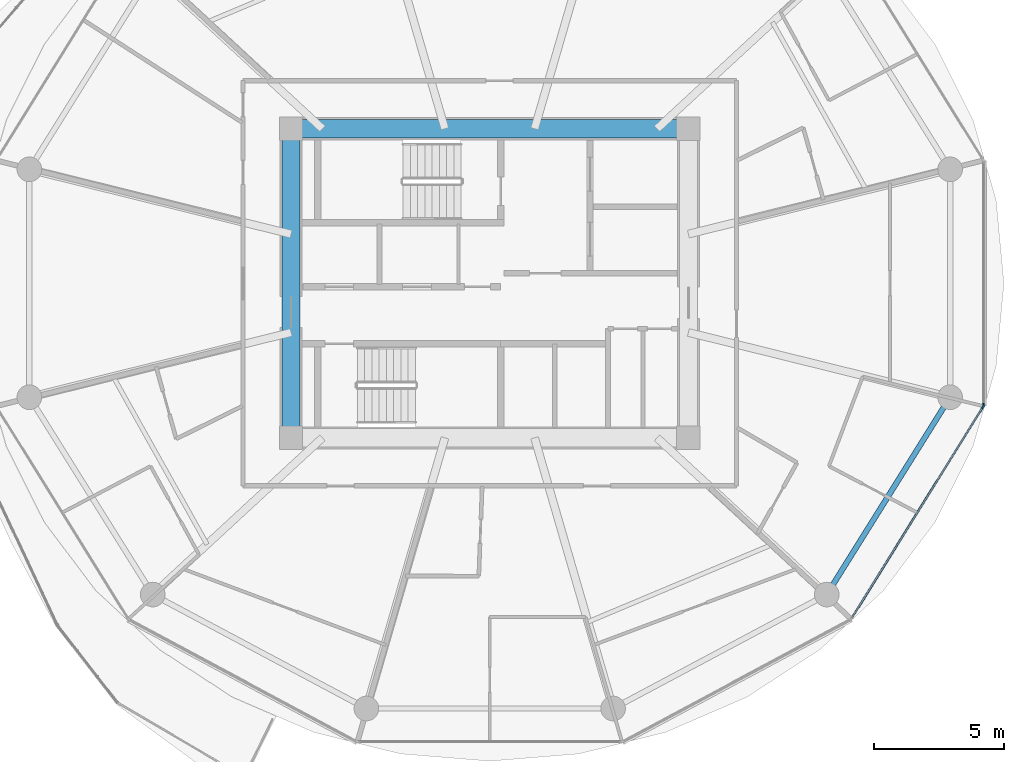
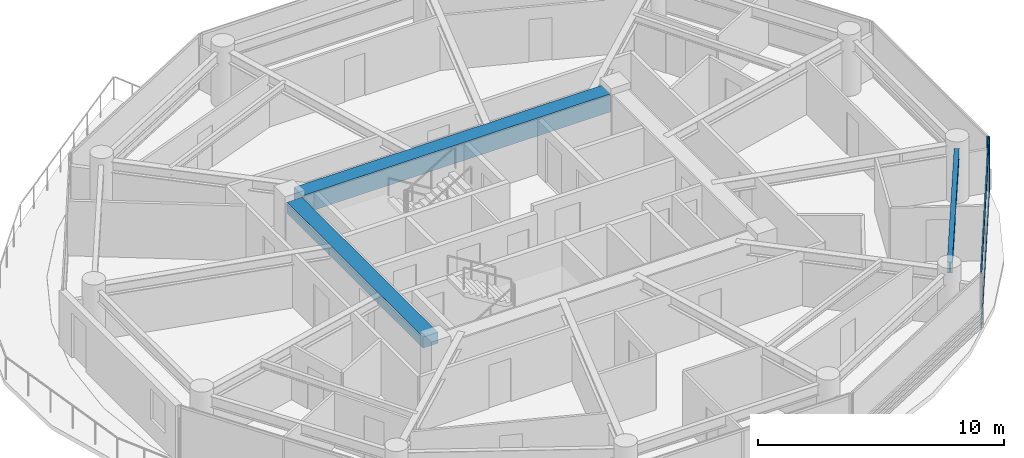
# One storey, part 11 of 26: 4 members, 3 beams, 2 elements without a shape of their own.
"""IFC4 building model written with IfcOpenShell, lengths in metres."""

from ifc_helpers import new_model, si_unit, direction, frame, origin, origin_2d, place, context, subcontext, project, spatial, rectangle, i_section, extrude, source, transform, mapped, material, layer, layer_set, material_profile, profile_set, type_object, type_shapes, element, aggregate, save


model = new_model("IFC4")

# Units and contexts
model_context = context("Model", 3, precision=1e-05, world=origin(), true_north=direction((0.0, 1.0)))
body_context = subcontext(model_context, "Body", "Model", "MODEL_VIEW")
ifc_project = project(units=[si_unit("LENGTHUNIT", "METRE"), si_unit("AREAUNIT", "SQUARE_METRE"), si_unit("VOLUMEUNIT", "CUBIC_METRE"), si_unit("PLANEANGLEUNIT", "RADIAN"), si_unit("MASSUNIT", "GRAM", prefix="KILO")], contexts=[model_context])

# Site, building, storey
site_placement = place(None, origin())
site = spatial("IfcSite", under=ifc_project, at=site_placement, CompositionType="ELEMENT")
building_placement = place(site_placement, origin())
building = spatial("IfcBuilding", under=site, at=building_placement, Name="Norrkilde Senior Care Towers", CompositionType="ELEMENT")
storey_placement = place(building_placement, frame((0.0, 0.0, 70.39990234375)))
storey = spatial("IfcBuildingStorey", under=building, at=storey_placement, Name="L21", CompositionType="ELEMENT", Elevation=70.39990234375)

# Beams
ifc_material_1 = material(Name="Concrete C60/75", Category="concrete")
ifc_material_profile_1 = material_profile(ifc_material_1, rectangle(XDim=0.699951171875, YDim=0.89990234375, at=origin_2d()), Name="RC BM 700x900")
ifc_profile_set_1 = profile_set([ifc_material_profile_1], Name="Concrete C60/75")
beam_type_1 = type_object("IfcBeamType", Name="Core Coupling Girder 700x900", PredefinedType="USERDEFINED", material=ifc_profile_set_1)
shared_shape_1 = source(origin(), body_context, "Body", "SweptSolid", [
    extrude(rectangle(XDim=0.699951171875, YDim=0.89990234375, at=origin_2d()), origin(), (0.0, 0.0, 1.0), 14.43994140625),
])
type_shapes(beam_type_1, [shared_shape_1])
beam_1_placement = place(storey_placement, frame((20.780029296875, 5.949951171875, 2.280029296875), z_axis=(1.0, 0.0, 0.0), x_axis=(0.0, 1.0, 0.0)))
element("IfcBeam", 1, at=beam_1_placement, inside=storey, type_object=beam_type_1, Name="L21 Core E N Coupling Girder", ObjectType="GIRDER", PredefinedType="USERDEFINED", context=body_context, shape_type="MappedRepresentation", body=[
    mapped(shared_shape_1, transform((0.0, 0.0, 0.0), x_axis=(1.0, 0.0, 0.0), y_axis=(0.0, 1.0, 0.0), z_axis=(0.0, 0.0, 1.0), scale=1.0)),
])
ifc_material_profile_2 = material_profile(ifc_material_1, rectangle(XDim=0.699951171875, YDim=0.550048828125, at=origin_2d()), Name="RC BM 700x550")
ifc_profile_set_2 = profile_set([ifc_material_profile_2], Name="Concrete C60/75")
beam_type_2 = type_object("IfcBeamType", Name="Core Portal Coupling Beam 700x550", PredefinedType="USERDEFINED", material=ifc_profile_set_2)
shared_shape_2 = source(origin(), body_context, "Body", "SweptSolid", [
    extrude(rectangle(XDim=0.699951171875, YDim=0.550048828125, at=origin_2d()), origin(), (0.0, 0.0, 1.0), 11.0400390625),
])
type_shapes(beam_type_2, [shared_shape_2])
beam_2_placement = place(storey_placement, frame((20.35009765625, -5.52001953125, 2.455078125), z_axis=(0.0, 1.0, 0.0), x_axis=(-1.0, 0.0, 0.0)))
element("IfcBeam", 2, at=beam_2_placement, inside=storey, type_object=beam_type_2, Name="L21 Core E W Coupling Girder", ObjectType="GIRDER", PredefinedType="USERDEFINED", context=body_context, shape_type="MappedRepresentation", body=[
    mapped(shared_shape_2, transform((0.0, 0.0, 0.0), x_axis=(1.0, 0.0, 0.0), y_axis=(0.0, 1.0, 0.0), z_axis=(0.0, 0.0, 1.0), scale=1.0)),
])
ifc_material_2 = material(Name="Steel S355", Category="steel")
ifc_material_profile_3 = material_profile(ifc_material_2, i_section(OverallWidth=0.2099609375, OverallDepth=0.550048828125, WebThickness=0.010986328125, FlangeThickness=0.01708984375, FilletRadius=0.02392578125, at=origin_2d()), Name="IPE 550")
ifc_profile_set_3 = profile_set([ifc_material_profile_3], Name="Steel S355")
beam_type_3 = type_object("IfcBeamType", Name="Perimeter Ring Spandrel Z1 IPE550", PredefinedType="SPANDREL", material=ifc_profile_set_3)
shared_shape_3 = source(origin(), body_context, "Body", "SweptSolid", [
    extrude(i_section(OverallWidth=0.2099609375, OverallDepth=0.550048828125, WebThickness=0.010986328125, FlangeThickness=0.01708984375, FilletRadius=0.02392578125, at=origin_2d()), origin(), (0.0, 0.0, 1.0), 8.090576171875),
])
type_shapes(beam_type_3, [shared_shape_3])
beam_3_placement = place(storey_placement, frame((41.2060546875, -11.61669921875, 2.455078125), z_axis=(0.530004364821, 0.84799491347, 0.0), x_axis=(-0.84799491347, 0.530004364821, 0.0)))
element("IfcBeam", 3, at=beam_3_placement, inside=storey, type_object=beam_type_3, Name="L21 Drum E Perimeter Spandrel 11", PredefinedType="SPANDREL", context=body_context, shape_type="MappedRepresentation", body=[
    mapped(shared_shape_3, transform((0.0, 0.0, 0.0), x_axis=(1.0, 0.0, 0.0), y_axis=(0.0, 1.0, 0.0), z_axis=(0.0, 0.0, 1.0), scale=1.0)),
])

# Curtain wall, members
ifc_material_3 = material(Name="Triple Low-E Insulated Glazing", Category="glass")
ifc_layer = layer(ifc_material_3, 0.199951171875)
ifc_layer_set = layer_set([ifc_layer], Name="Triple Low-E Insulated Glazing")
curtain_wall_type = type_object("IfcCurtainWallType", Name="CW2 Zone 1 Memory Care Curtain Wall", PredefinedType="NOTDEFINED", material=ifc_layer_set)
curtain_wall_1_placement = place(storey_placement, origin())
curtain_wall_1 = element("IfcCurtainWall", 4, at=curtain_wall_1_placement, inside=storey, type_object=curtain_wall_type, Name="L21 Drum E Curtain Wall 10", PredefinedType="NOTDEFINED")
ifc_material_4 = material(Name="Anodised Aluminium", Category="aluminium")
ifc_material_profile_4 = material_profile(ifc_material_4, rectangle(XDim=0.06005859375, YDim=0.1201171875, at=origin_2d()), Name="ALU TRAN 60x120")
ifc_profile_set_4 = profile_set([ifc_material_profile_4], Name="Anodised Aluminium")
member_type_1 = type_object("IfcMemberType", Name="Curtain Wall Transom Typical 60x120", PredefinedType="USERDEFINED", material=ifc_profile_set_4)
shared_shape_4 = source(origin(), body_context, "Body", "SweptSolid", [
    extrude(rectangle(XDim=0.06005859375, YDim=0.1201171875, at=origin_2d()), origin(), (0.0, 0.0, 1.0), 9.5185546875),
])
type_shapes(member_type_1, [shared_shape_4])
member_1_placement = place(storey_placement, frame((46.97509765625, -4.786376953125, 0.030029296875), z_axis=(-0.527901620669, -0.849305527413, 0.0), x_axis=(0.849305527413, -0.527901620669, 0.0)))
member_1 = element("IfcMember", 5, at=member_1_placement, type_object=member_type_1, Name="CW-2 transom 1.1", ObjectType="TRANSOM", PredefinedType="USERDEFINED", context=body_context, shape_type="MappedRepresentation", body=[
    mapped(shared_shape_4, transform((0.0, 0.0, 0.0), x_axis=(1.0, 0.0, 0.0), y_axis=(0.0, 1.0, 0.0), z_axis=(0.0, 0.0, 1.0), scale=1.0)),
])
member_2_placement = place(storey_placement, frame((46.97509765625, -4.786376953125, 2.7001953125), z_axis=(-0.527901620669, -0.849305527413, 0.0), x_axis=(0.849305527413, -0.527901620669, 0.0)))
member_2 = element("IfcMember", 6, at=member_2_placement, type_object=member_type_1, Name="CW-2 transom 1.2", ObjectType="TRANSOM", PredefinedType="USERDEFINED", context=body_context, shape_type="MappedRepresentation", body=[
    mapped(shared_shape_4, transform((0.0, 0.0, 0.0), x_axis=(1.0, 0.0, 0.0), y_axis=(0.0, 1.0, 0.0), z_axis=(0.0, 0.0, 1.0), scale=1.0)),
])
ifc_material_profile_5 = material_profile(ifc_material_4, rectangle(XDim=0.06494140625, YDim=0.159912109375, at=origin_2d()), Name="ALU MULL 65x160")
ifc_profile_set_5 = profile_set([ifc_material_profile_5], Name="Anodised Aluminium")
member_type_2 = type_object("IfcMemberType", Name="Curtain Wall Mullion Z1-Z2 65x160", PredefinedType="MULLION", material=ifc_profile_set_5)
shared_shape_5 = source(origin(), body_context, "Body", "SweptSolid", [
    extrude(rectangle(XDim=0.06494140625, YDim=0.159912109375, at=origin_2d()), origin(), (0.0, 0.0, 1.0), 2.72998046875),
])
type_shapes(member_type_2, [shared_shape_5])
member_3_placement = place(storey_placement, frame((46.9921875, -4.7587890625, 0.0), z_axis=(0.0, 0.0, 1.0), x_axis=(0.849305943117, -0.527900951871, 0.0)))
member_3 = element("IfcMember", 7, at=member_3_placement, type_object=member_type_2, Name="CW-2 mullion 1", PredefinedType="MULLION", context=body_context, shape_type="MappedRepresentation", body=[
    mapped(shared_shape_5, transform((0.0, 0.0, 0.0), x_axis=(1.0, 0.0, 0.0), y_axis=(0.0, 1.0, 0.0), z_axis=(0.0, 0.0, 1.0), scale=1.0)),
])
aggregate(curtain_wall_1, [member_3, member_1, member_2])

# Curtain wall, member
curtain_wall_2_placement = place(storey_placement, origin())
curtain_wall_2 = element("IfcCurtainWall", 8, at=curtain_wall_2_placement, inside=storey, type_object=curtain_wall_type, Name="L21 Drum E Curtain Wall 11", PredefinedType="NOTDEFINED")
member_4_placement = place(storey_placement, frame((47.009521484375, -4.69873046875, 0.0), z_axis=(0.0, 0.0, 1.0), x_axis=(1.0, 0.0, 0.0)))
member_4 = element("IfcMember", 9, at=member_4_placement, type_object=member_type_2, Name="CW-2 mullion 2", PredefinedType="MULLION", context=body_context, shape_type="MappedRepresentation", body=[
    mapped(shared_shape_5, transform((0.0, 0.0, 0.0), x_axis=(1.0, 0.0, 0.0), y_axis=(0.0, 1.0, 0.0), z_axis=(0.0, 0.0, 1.0), scale=1.0)),
])
aggregate(curtain_wall_2, [member_4])

save(model, "model.ifc")
